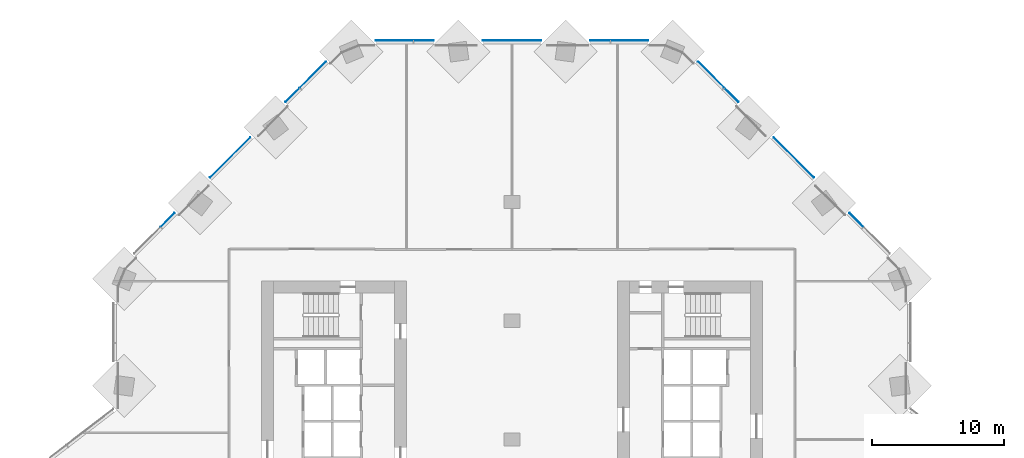
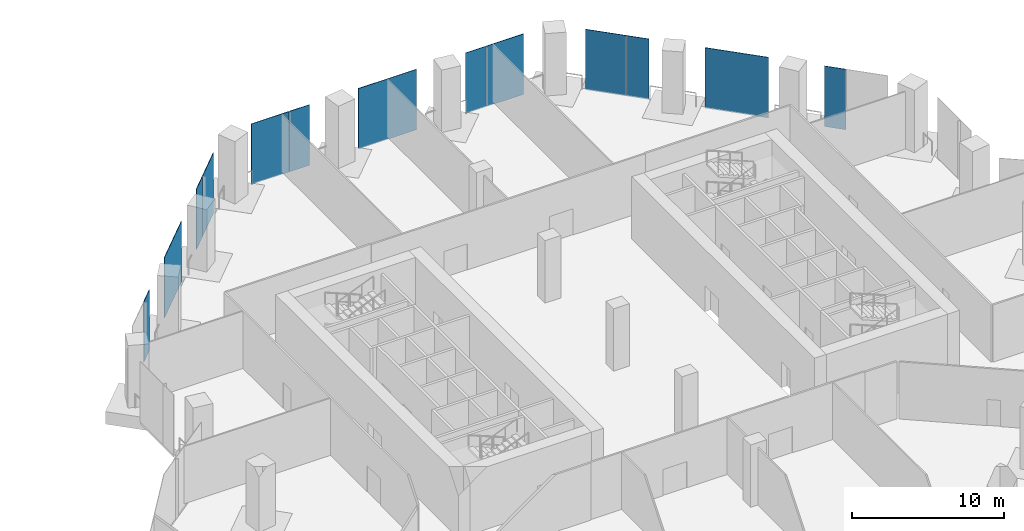
# One storey, part 17 of 27: 13 plates, 3 elements without a shape of their own.
"""IFC4 building model written with IfcOpenShell, lengths in metres."""

from ifc_helpers import new_model, si_unit, direction, frame, origin, origin_2d, place, context, subcontext, project, spatial, rectangle, extrude, material, layer, layer_set, type_object, element, aggregate, save


model = new_model("IFC4")

# Units and contexts
model_context = context("Model", 3, precision=1e-05, world=origin(), true_north=direction((0.0, 1.0)))
body_context = subcontext(model_context, "Body", "Model", "MODEL_VIEW")
ifc_project = project(units=[si_unit("LENGTHUNIT", "METRE"), si_unit("AREAUNIT", "SQUARE_METRE"), si_unit("VOLUMEUNIT", "CUBIC_METRE"), si_unit("PLANEANGLEUNIT", "RADIAN"), si_unit("MASSUNIT", "GRAM", prefix="KILO")], contexts=[model_context])

# Site, building, storey
site_placement = place(None, origin())
site = spatial("IfcSite", under=ifc_project, at=site_placement, CompositionType="ELEMENT")
building_placement = place(site_placement, origin())
building = spatial("IfcBuilding", under=site, at=building_placement, Name="Orlundy Tower", CompositionType="ELEMENT")
storey_placement = place(building_placement, frame((0.0, 0.0, 10.5)))
storey = spatial("IfcBuildingStorey", under=building, at=storey_placement, Name="L01", CompositionType="ELEMENT", Elevation=10.5)

# Curtain wall, plates
ifc_material_1 = material(Name="Aluminium bronze anodised", Category="aluminium")
curtain_wall_type = type_object("IfcCurtainWallType", Name="CW2 wall", PredefinedType="NOTDEFINED", material=ifc_material_1)
curtain_wall_1_placement = place(storey_placement, origin())
curtain_wall_1 = element("IfcCurtainWall", 1, at=curtain_wall_1_placement, inside=storey, type_object=curtain_wall_type, Name="CW2 run 014", PredefinedType="NOTDEFINED")
ifc_material_2 = material(Name="Tinted glass", Category="glass")
ifc_layer = layer(ifc_material_2, 0.0380859375)
ifc_layer_set = layer_set([ifc_layer], Name="CW2 glass panel 38")
plate_type = type_object("IfcPlateType", Name="CW2 glass panel 38", PredefinedType="CURTAIN_PANEL", material=ifc_layer_set)
plate_1_placement = place(storey_placement, frame((-26.1103515625, 16.642333984375, -0.25), z_axis=(0.0, 0.0, 1.0), x_axis=(0.707106781187, 0.707106781187, 0.0)))
plate_1 = element("IfcPlate", 2, at=plate_1_placement, type_object=plate_type, Name="CW2 panel", PredefinedType="CURTAIN_PANEL", context=body_context, shape_type="SweptSolid", body=[
    extrude(rectangle(XDim=1.47216796875, YDim=0.0380859375, at=origin_2d()), origin(), (0.0, 0.0, 1.0), 4.85009765625),
])
plate_2_placement = place(storey_placement, frame((-21.376220703125, 21.376220703125, -0.25), z_axis=(0.0, 0.0, 1.0), x_axis=(0.707106781187, 0.707106781187, 0.0)))
plate_2 = element("IfcPlate", 3, at=plate_2_placement, type_object=plate_type, Name="CW2 panel", PredefinedType="CURTAIN_PANEL", context=body_context, shape_type="SweptSolid", body=[
    extrude(rectangle(XDim=4.317626953125, YDim=0.0380859375, at=origin_2d()), origin(), (0.0, 0.0, 1.0), 4.85009765625),
])
plate_3_placement = place(storey_placement, frame((-16.642333984375, 26.1103515625, -0.25), z_axis=(0.0, 0.0, 1.0), x_axis=(0.707106781187, 0.707106781187, 0.0)))
plate_3 = element("IfcPlate", 4, at=plate_3_placement, type_object=plate_type, Name="CW2 panel", PredefinedType="CURTAIN_PANEL", context=body_context, shape_type="SweptSolid", body=[
    extrude(rectangle(XDim=1.47216796875, YDim=0.0380859375, at=origin_2d()), origin(), (0.0, 0.0, 1.0), 4.85009765625),
])
plate_4_placement = place(storey_placement, frame((-15.09765625, 27.655029296875, -0.25), z_axis=(0.0, 0.0, 1.0), x_axis=(0.707106781187, 0.707106781187, 0.0)))
plate_4 = element("IfcPlate", 5, at=plate_4_placement, type_object=plate_type, Name="CW2 panel", PredefinedType="CURTAIN_PANEL", context=body_context, shape_type="SweptSolid", body=[
    extrude(rectangle(XDim=2.796875, YDim=0.0380859375, at=origin_2d()), origin(), (0.0, 0.0, 1.0), 4.85009765625),
])
aggregate(curtain_wall_1, [plate_1, plate_2, plate_3, plate_4])

curtain_wall_2_placement = place(storey_placement, origin())
curtain_wall_2 = element("IfcCurtainWall", 6, at=curtain_wall_2_placement, inside=storey, type_object=curtain_wall_type, Name="CW2 run 015", PredefinedType="NOTDEFINED")
plate_5_placement = place(storey_placement, frame((-8.9013671875, 30.23095703125, -0.25), z_axis=(0.0, 0.0, 1.0), x_axis=(1.0, 0.0, 0.0)))
plate_5 = element("IfcPlate", 7, at=plate_5_placement, type_object=plate_type, Name="CW2 panel", PredefinedType="CURTAIN_PANEL", context=body_context, shape_type="SweptSolid", body=[
    extrude(rectangle(XDim=2.84130859375, YDim=0.0380859375, at=origin_2d()), origin(), (0.0, 0.0, 1.0), 4.85009765625),
])
plate_6_placement = place(storey_placement, frame((-6.6728515625, 30.23095703125, -0.25), z_axis=(0.0, 0.0, 1.0), x_axis=(1.0, 0.0, 0.0)))
plate_6 = element("IfcPlate", 8, at=plate_6_placement, type_object=plate_type, Name="CW2 panel", PredefinedType="CURTAIN_PANEL", context=body_context, shape_type="SweptSolid", body=[
    extrude(rectangle(XDim=1.515625, YDim=0.0380859375, at=origin_2d()), origin(), (0.0, 0.0, 1.0), 4.85009765625),
])
plate_7_placement = place(storey_placement, frame((0.0, 30.23095703125, -0.25), z_axis=(0.0, 0.0, 1.0), x_axis=(1.0, 0.0, 0.0)))
plate_7 = element("IfcPlate", 9, at=plate_7_placement, type_object=plate_type, Name="CW2 panel", PredefinedType="CURTAIN_PANEL", context=body_context, shape_type="SweptSolid", body=[
    extrude(rectangle(XDim=4.406005859375, YDim=0.0380859375, at=origin_2d()), origin(), (0.0, 0.0, 1.0), 4.85009765625),
])
plate_8_placement = place(storey_placement, frame((6.6728515625, 30.23095703125, -0.25), z_axis=(0.0, 0.0, 1.0), x_axis=(1.0, 0.0, 0.0)))
plate_8 = element("IfcPlate", 10, at=plate_8_placement, type_object=plate_type, Name="CW2 panel", PredefinedType="CURTAIN_PANEL", context=body_context, shape_type="SweptSolid", body=[
    extrude(rectangle(XDim=1.515625, YDim=0.0380859375, at=origin_2d()), origin(), (0.0, 0.0, 1.0), 4.85009765625),
])
plate_9_placement = place(storey_placement, frame((8.9013671875, 30.23095703125, -0.25), z_axis=(0.0, 0.0, 1.0), x_axis=(1.0, 0.0, 0.0)))
plate_9 = element("IfcPlate", 11, at=plate_9_placement, type_object=plate_type, Name="CW2 panel", PredefinedType="CURTAIN_PANEL", context=body_context, shape_type="SweptSolid", body=[
    extrude(rectangle(XDim=2.84130859375, YDim=0.0380859375, at=origin_2d()), origin(), (0.0, 0.0, 1.0), 4.85009765625),
])
aggregate(curtain_wall_2, [plate_5, plate_6, plate_7, plate_8, plate_9])

curtain_wall_3_placement = place(storey_placement, origin())
curtain_wall_3 = element("IfcCurtainWall", 12, at=curtain_wall_3_placement, inside=storey, type_object=curtain_wall_type, Name="CW2 run 016", PredefinedType="NOTDEFINED")
plate_10_placement = place(storey_placement, frame((15.09765625, 27.655029296875, -0.25), z_axis=(0.0, 0.0, 1.0), x_axis=(0.707106781187, -0.707106781187, 0.0)))
plate_10 = element("IfcPlate", 13, at=plate_10_placement, type_object=plate_type, Name="CW2 panel", PredefinedType="CURTAIN_PANEL", context=body_context, shape_type="SweptSolid", body=[
    extrude(rectangle(XDim=2.796875, YDim=0.0380859375, at=origin_2d()), origin(), (0.0, 0.0, 1.0), 4.85009765625),
])
plate_11_placement = place(storey_placement, frame((16.642333984375, 26.1103515625, -0.25), z_axis=(0.0, 0.0, 1.0), x_axis=(0.707106781187, -0.707106781187, 0.0)))
plate_11 = element("IfcPlate", 14, at=plate_11_placement, type_object=plate_type, Name="CW2 panel", PredefinedType="CURTAIN_PANEL", context=body_context, shape_type="SweptSolid", body=[
    extrude(rectangle(XDim=1.47216796875, YDim=0.0380859375, at=origin_2d()), origin(), (0.0, 0.0, 1.0), 4.85009765625),
])
plate_12_placement = place(storey_placement, frame((21.376220703125, 21.376220703125, -0.25), z_axis=(0.0, 0.0, 1.0), x_axis=(0.707106781187, -0.707106781187, 0.0)))
plate_12 = element("IfcPlate", 15, at=plate_12_placement, type_object=plate_type, Name="CW2 panel", PredefinedType="CURTAIN_PANEL", context=body_context, shape_type="SweptSolid", body=[
    extrude(rectangle(XDim=4.317626953125, YDim=0.0380859375, at=origin_2d()), origin(), (0.0, 0.0, 1.0), 4.85009765625),
])
plate_13_placement = place(storey_placement, frame((26.1103515625, 16.642333984375, -0.25), z_axis=(0.0, 0.0, 1.0), x_axis=(0.707106781187, -0.707106781187, 0.0)))
plate_13 = element("IfcPlate", 16, at=plate_13_placement, type_object=plate_type, Name="CW2 panel", PredefinedType="CURTAIN_PANEL", context=body_context, shape_type="SweptSolid", body=[
    extrude(rectangle(XDim=1.47216796875, YDim=0.0380859375, at=origin_2d()), origin(), (0.0, 0.0, 1.0), 4.85009765625),
])
aggregate(curtain_wall_3, [plate_10, plate_11, plate_12, plate_13])

save(model, "model.ifc")
